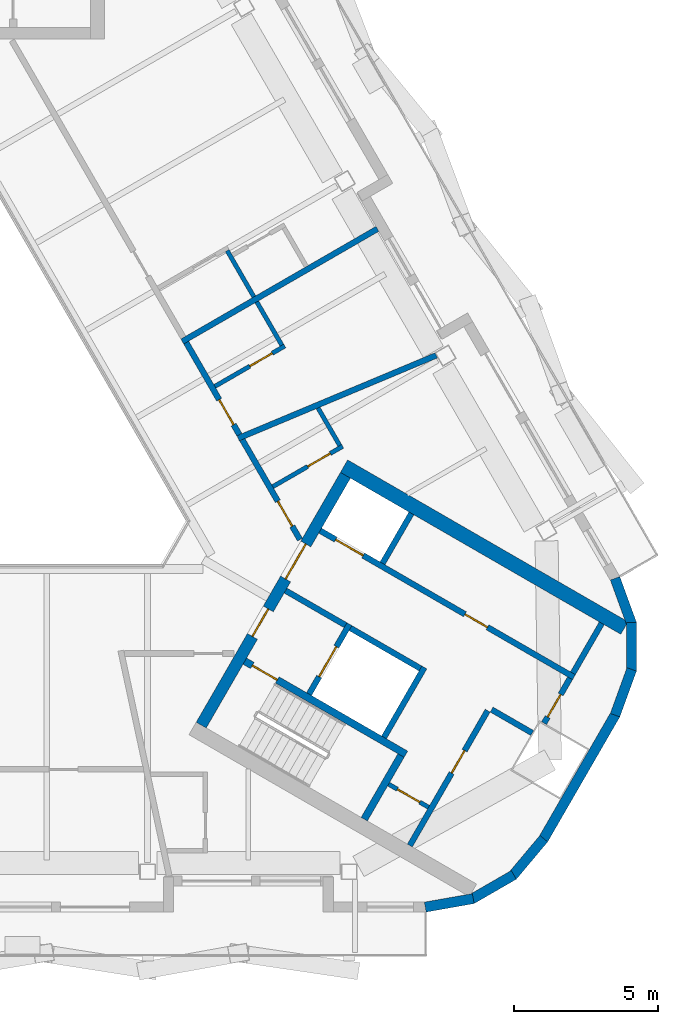
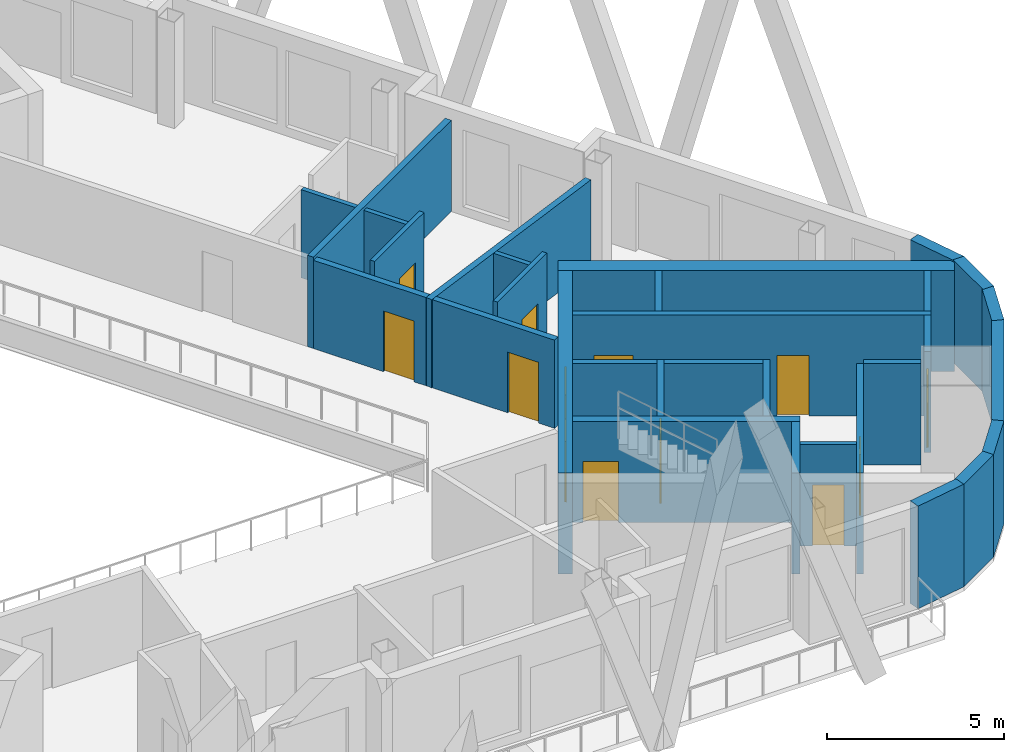
# One storey, part 5 of 12: 31 walls, 13 doors, 13 openings.
"""IFC4 building model written with IfcOpenShell, lengths in metres."""

from ifc_helpers import new_model, si_unit, direction, frame, frame_2d, origin, place, context, subcontext, project, spatial, rectangle, extrude, material, layer, layer_set, type_object, element, fill, save


model = new_model("IFC4")

# Units and contexts
model_context = context("Model", 3, precision=1e-05, world=origin(), true_north=direction((0.0, 1.0)))
body_context = subcontext(model_context, "Body", "Model", "MODEL_VIEW")
ifc_project = project(units=[si_unit("LENGTHUNIT", "METRE"), si_unit("AREAUNIT", "SQUARE_METRE"), si_unit("VOLUMEUNIT", "CUBIC_METRE"), si_unit("PLANEANGLEUNIT", "RADIAN"), si_unit("MASSUNIT", "GRAM", prefix="KILO")], contexts=[model_context])

# Site, building, storey
site_placement = place(None, origin())
site = spatial("IfcSite", under=ifc_project, at=site_placement, CompositionType="ELEMENT")
building_placement = place(site_placement, origin())
building = spatial("IfcBuilding", under=site, at=building_placement, Name="Apuvela Tower Hotel", CompositionType="ELEMENT")
storey_placement = place(building_placement, frame((0.0, 0.0, 291.10009765625)))
storey = spatial("IfcBuildingStorey", under=building, at=storey_placement, Name="L72", CompositionType="ELEMENT", Elevation=291.10009765625)

# Wall, openings, doors
ifc_material_1 = material(Name="Concrete C50/60", Category="concrete")
ifc_layer_1 = layer(ifc_material_1, 0.39990234375)
ifc_layer_set_1 = layer_set([ifc_layer_1], Name="COR-WALL-CORE-400")
wall_type_1 = type_object("IfcWallType", Name="COR-WALL-CORE-400", PredefinedType="SHEAR", material=ifc_layer_set_1)
wall_1_placement = place(storey_placement, frame((8.844970703125, -10.880126953125, 0.0), z_axis=(0.0, 0.0, 1.0), x_axis=(0.500004234368, 0.866022959057, 0.0)))
wall_1 = element("IfcWall", 1, at=wall_1_placement, inside=storey, type_object=wall_type_1, Name="Core wall SE", PredefinedType="SHEAR", context=body_context, shape_type="SweptSolid", body=[
    extrude(rectangle(XDim=10.0, YDim=0.39990234375, at=frame_2d((5.0, 0.0))), origin(), (0.0, 0.0, 1.0), 3.5),
])
opening_1_placement = place(wall_1_placement, frame((3.550048828125, 0.0, 0.0)))
opening_1 = element("IfcOpeningElement", 2, at=opening_1_placement, cuts=wall_1, Name="Opening E-FD", PredefinedType="OPENING", context=body_context, shape_type="SweptSolid", body=[
    extrude(rectangle(XDim=1.10009765625, YDim=2.10009765625, at=frame_2d((0.550048828125, 1.050048828125))), frame((0.0, 0.2099609375, 0.0), z_axis=(0.0, -1.0, 0.0), x_axis=(1.0, 0.0, 0.0)), (0.0, 0.0, 1.0), 0.419921875),
])
opening_2_placement = place(wall_1_placement, frame((5.85009765625, 0.0, 0.0)))
opening_2 = element("IfcOpeningElement", 3, at=opening_2_placement, cuts=wall_1, Name="Opening E-GD", PredefinedType="OPENING", context=body_context, shape_type="SweptSolid", body=[
    extrude(rectangle(XDim=1.39990234375, YDim=2.10009765625, at=frame_2d((0.699951171875, 1.050048828125))), frame((0.0, 0.2099609375, 0.0), z_axis=(0.0, -1.0, 0.0), x_axis=(1.0, 0.0, 0.0)), (0.0, 0.0, 1.0), 0.419921875),
])
ifc_material_2 = material(Name="Steel fire door, powder coated", Category="steel")
door_type_1 = type_object("IfcDoorType", Name="COR-FD-1100", OperationType="NOTDEFINED", PredefinedType="DOOR", material=ifc_material_2)
door_1_placement = place(opening_1_placement, frame((1.10009765625, 0.0, 0.0), z_axis=(0.0, 0.0, 1.0), x_axis=(-1.0, 0.0, 0.0)))
door_1 = element("IfcDoor", 4, at=door_1_placement, inside=storey, type_object=door_type_1, Name="Firefighting lobby door E-FD", OperationType="SINGLE_SWING_LEFT", OverallHeight=2.10009765625, OverallWidth=1.10009765625, PredefinedType="DOOR", context=body_context, shape_type="SweptSolid", body=[
    extrude(rectangle(XDim=1.10009765625, YDim=2.10009765625, at=frame_2d((0.550048828125, 1.050048828125))), frame((0.0, 0.02490234375, 0.0), z_axis=(0.0, -1.0, 0.0), x_axis=(1.0, 0.0, 0.0)), (0.0, 0.0, 1.0), 0.050048828125),
])
fill(opening_1, door_1)
ifc_material_3 = material(Name="Glazed steel fire door", Category="steel")
door_type_2 = type_object("IfcDoorType", Name="COR-GD-1400", OperationType="DOUBLE_DOOR_SINGLE_SWING", PredefinedType="DOOR", material=ifc_material_3)
door_2_placement = place(opening_2_placement, frame((1.39990234375, 0.0, 0.0), z_axis=(0.0, 0.0, 1.0), x_axis=(-1.0, 0.0, 0.0)))
door_2 = element("IfcDoor", 5, at=door_2_placement, inside=storey, type_object=door_type_2, Name="Lift lobby door E-GD", OperationType="DOUBLE_DOOR_SINGLE_SWING", OverallHeight=2.10009765625, OverallWidth=1.39990234375, PredefinedType="DOOR", context=body_context, shape_type="SweptSolid", body=[
    extrude(rectangle(XDim=1.39990234375, YDim=2.10009765625, at=frame_2d((0.699951171875, 1.050048828125))), frame((0.0, 0.02490234375, 0.0), z_axis=(0.0, -1.0, 0.0), x_axis=(1.0, 0.0, 0.0)), (0.0, 0.0, 1.0), 0.050048828125),
])
fill(opening_2, door_2)

# Wall
ifc_layer_2 = layer(ifc_material_1, 0.5)
ifc_layer_set_2 = layer_set([ifc_layer_2], Name="COR-WALL-CORE-500")
wall_type_2 = type_object("IfcWallType", Name="COR-WALL-CORE-500", PredefinedType="SHEAR", material=ifc_layer_set_2)
wall_2_placement = place(storey_placement, frame((13.796630859375, -1.9033203125, 0.0), z_axis=(0.0, 0.0, 1.0), x_axis=(0.866025449148, -0.499999921427, 0.0)))
element("IfcWall", 6, at=wall_2_placement, inside=storey, type_object=wall_type_2, Name="Core wall SE", PredefinedType="SHEAR", context=body_context, shape_type="SweptSolid", body=[
    extrude(rectangle(XDim=11.2216796875, YDim=0.5, at=frame_2d((5.61083984375, 0.0))), origin(), (0.0, 0.0, 1.0), 3.5),
])

# Wall, opening, door
ifc_material_4 = material(Name="Blockwork 150 mm plastered", Category="masonry")
ifc_layer_3 = layer(ifc_material_4, 0.14990234375)
ifc_layer_set_3 = layer_set([ifc_layer_3], Name="COR-WALL-PART-150")
wall_type_3 = type_object("IfcWallType", Name="COR-WALL-PART-150", PredefinedType="PARTITIONING", material=ifc_layer_set_3)
wall_3_placement = place(storey_placement, frame((15.341552734375, -12.927734375, 0.0), z_axis=(0.0, 0.0, 1.0), x_axis=(0.865989903783, -0.500061482766, 0.0)))
wall_3 = element("IfcWall", 7, at=wall_3_placement, inside=storey, type_object=wall_type_3, Name="Partition SE", PredefinedType="PARTITIONING", context=body_context, shape_type="SweptSolid", body=[
    extrude(rectangle(XDim=1.599853515625, YDim=0.14990234375, at=frame_2d((0.7998046875, 0.0))), origin(), (0.0, 0.0, 1.0), 3.5),
])
opening_3_placement = place(wall_3_placement, frame((0.35009765625, 0.0, 0.0)))
opening_3 = element("IfcOpeningElement", 8, at=opening_3_placement, cuts=wall_3, Name="Opening E-RD", PredefinedType="OPENING", context=body_context, shape_type="SweptSolid", body=[
    extrude(rectangle(XDim=0.89990234375, YDim=2.10009765625, at=frame_2d((0.449951171875, 1.050048828125))), frame((0.0, 0.0849609375, 0.0), z_axis=(0.0, -1.0, 0.0), x_axis=(1.0, 0.0, 0.0)), (0.0, 0.0, 1.0), 0.169921875),
])
ifc_material_5 = material(Name="Steel access door, powder coated", Category="steel")
door_type_3 = type_object("IfcDoorType", Name="COR-RD-900", OperationType="NOTDEFINED", PredefinedType="DOOR", material=ifc_material_5)
door_3_placement = place(opening_3_placement, frame((0.89990234375, 0.0, 0.0), z_axis=(0.0, 0.0, 1.0), x_axis=(-1.0, 0.0, 0.0)))
door_3 = element("IfcDoor", 9, at=door_3_placement, inside=storey, type_object=door_type_3, Name="Riser door E-RD", OperationType="SINGLE_SWING_LEFT", OverallHeight=2.10009765625, OverallWidth=0.89990234375, PredefinedType="DOOR", context=body_context, shape_type="SweptSolid", body=[
    extrude(rectangle(XDim=0.89990234375, YDim=2.10009765625, at=frame_2d((0.449951171875, 1.050048828125))), frame((0.0, 0.02490234375, 0.0), z_axis=(0.0, -1.0, 0.0), x_axis=(1.0, 0.0, 0.0)), (0.0, 0.0, 1.0), 0.050048828125),
])
fill(opening_3, door_3)

ifc_material_6 = material(Name="Blockwork 200 mm plastered", Category="masonry")
ifc_layer_4 = layer(ifc_material_6, 0.199951171875)
ifc_layer_set_4 = layer_set([ifc_layer_4], Name="COR-WALL-PART-200")
wall_type_4 = type_object("IfcWallType", Name="COR-WALL-PART-200", PredefinedType="PARTITIONING", material=ifc_layer_set_4)
wall_4_placement = place(storey_placement, frame((16.076171875, -15.05517578125, 0.0), z_axis=(0.0, 0.0, 1.0), x_axis=(0.499995103361, 0.866028230842, 0.0)))
wall_4 = element("IfcWall", 10, at=wall_4_placement, inside=storey, type_object=wall_type_4, Name="Partition SE", PredefinedType="PARTITIONING", context=body_context, shape_type="SweptSolid", body=[
    extrude(rectangle(XDim=5.39990234375, YDim=0.199951171875, at=frame_2d((2.699951171875, 0.0))), origin(), (0.0, 0.0, 1.0), 3.5),
])
opening_4_placement = place(wall_4_placement, frame((2.89990234375, 0.0, 0.0)))
opening_4 = element("IfcOpeningElement", 11, at=opening_4_placement, cuts=wall_4, Name="Opening E-RS1", PredefinedType="OPENING", context=body_context, shape_type="SweptSolid", body=[
    extrude(rectangle(XDim=0.89990234375, YDim=2.10009765625, at=frame_2d((0.449951171875, 1.050048828125))), frame((0.0, 0.10986328125, 0.0), z_axis=(0.0, -1.0, 0.0), x_axis=(1.0, 0.0, 0.0)), (0.0, 0.0, 1.0), 0.219970703125),
])
door_type_4 = type_object("IfcDoorType", Name="COR-DR-900", OperationType="NOTDEFINED", PredefinedType="DOOR", material=ifc_material_2)
door_4_placement = place(opening_4_placement, frame((0.89990234375, 0.0, 0.0), z_axis=(0.0, 0.0, 1.0), x_axis=(-1.0, 0.0, 0.0)))
door_4 = element("IfcDoor", 12, at=door_4_placement, inside=storey, type_object=door_type_4, Name="Store door E-RS1", OperationType="SINGLE_SWING_LEFT", OverallHeight=2.10009765625, OverallWidth=0.89990234375, PredefinedType="DOOR", context=body_context, shape_type="SweptSolid", body=[
    extrude(rectangle(XDim=0.89990234375, YDim=2.10009765625, at=frame_2d((0.449951171875, 1.050048828125))), frame((0.0, 0.02490234375, 0.0), z_axis=(0.0, -1.0, 0.0), x_axis=(1.0, 0.0, 0.0)), (0.0, 0.0, 1.0), 0.050048828125),
])
fill(opening_4, door_4)

# Wall
ifc_layer_5 = layer(ifc_material_1, 0.199951171875)
ifc_layer_set_5 = layer_set([ifc_layer_5], Name="COR-WALL-SHAFT-200")
wall_type_5 = type_object("IfcWallType", Name="COR-WALL-SHAFT-200", PredefinedType="SHEAR", material=ifc_layer_set_5)
wall_5_placement = place(storey_placement, frame((15.181396484375, -11.305419921875, 0.0), z_axis=(0.0, 0.0, 1.0), x_axis=(0.49994636267, 0.866056369097, 0.0)))
element("IfcWall", 13, at=wall_5_placement, inside=storey, type_object=wall_type_5, Name="Shaft wall SE", PredefinedType="SHEAR", context=body_context, shape_type="SweptSolid", body=[
    extrude(rectangle(XDim=2.800048828125, YDim=0.199951171875, at=frame_2d((1.39990234375, 0.0))), origin(), (0.0, 0.0, 1.0), 3.5),
])

# Wall, opening, door
wall_6_placement = place(storey_placement, frame((12.583251953125, -9.805419921875, 0.0), z_axis=(0.0, 0.0, 1.0), x_axis=(0.49994636267, 0.866056369097, 0.0)))
wall_6 = element("IfcWall", 14, at=wall_6_placement, inside=storey, type_object=wall_type_5, Name="Shaft wall SE", PredefinedType="SHEAR", context=body_context, shape_type="SweptSolid", body=[
    extrude(rectangle(XDim=2.800048828125, YDim=0.199951171875, at=frame_2d((1.39990234375, 0.0))), origin(), (0.0, 0.0, 1.0), 3.5),
])
opening_5_placement = place(wall_6_placement, frame((0.699951171875, 0.0, 0.0)))
opening_5 = element("IfcOpeningElement", 15, at=opening_5_placement, cuts=wall_6, Name="Opening E-LD-FS3", PredefinedType="OPENING", context=body_context, shape_type="SweptSolid", body=[
    extrude(rectangle(XDim=1.199951171875, YDim=2.10009765625, at=frame_2d((0.60009765625, 1.050048828125))), frame((0.0, 0.10986328125, 0.0), z_axis=(0.0, -1.0, 0.0), x_axis=(1.0, 0.0, 0.0)), (0.0, 0.0, 1.0), 0.219970703125),
])
ifc_material_7 = material(Name="Stainless steel lift landing door", Category="steel")
door_type_5 = type_object("IfcDoorType", Name="COR-LD-1200", OperationType="DOUBLE_DOOR_SLIDING", PredefinedType="DOOR", material=ifc_material_7)
door_5_placement = place(opening_5_placement, origin())
door_5 = element("IfcDoor", 16, at=door_5_placement, inside=storey, type_object=door_type_5, Name="Lift landing door E-LD-FS3", OperationType="DOUBLE_DOOR_SLIDING", OverallHeight=2.10009765625, OverallWidth=1.199951171875, PredefinedType="DOOR", context=body_context, shape_type="SweptSolid", body=[
    extrude(rectangle(XDim=1.199951171875, YDim=2.10009765625, at=frame_2d((0.60009765625, 1.050048828125))), frame((0.0, 0.02490234375, 0.0), z_axis=(0.0, -1.0, 0.0), x_axis=(1.0, 0.0, 0.0)), (0.0, 0.0, 1.0), 0.050048828125),
])
fill(opening_5, door_5)

# Walls
wall_7_placement = place(storey_placement, frame((11.76806640625, -6.217041015625, 0.0), z_axis=(0.0, 0.0, 1.0), x_axis=(0.866050077142, -0.499957262057, 0.0)))
element("IfcWall", 17, at=wall_7_placement, inside=storey, type_object=wall_type_5, Name="Shaft wall SE", PredefinedType="SHEAR", context=body_context, shape_type="SweptSolid", body=[
    extrude(rectangle(XDim=2.400146484375, YDim=0.199951171875, at=frame_2d((1.2001953125, 0.0))), origin(), (0.0, 0.0, 1.0), 3.5),
])
wall_8_placement = place(storey_placement, frame((14.019775390625, -7.51708984375, 0.0), z_axis=(0.0, 0.0, 1.0), x_axis=(0.866034573852, -0.49998411664, 0.0)))
element("IfcWall", 18, at=wall_8_placement, inside=storey, type_object=wall_type_5, Name="Shaft wall SE", PredefinedType="SHEAR", context=body_context, shape_type="SweptSolid", body=[
    extrude(rectangle(XDim=2.7998046875, YDim=0.199951171875, at=frame_2d((1.39990234375, 0.0))), origin(), (0.0, 0.0, 1.0), 3.5),
])

# Wall, openings, doors
wall_9_placement = place(storey_placement, frame((12.968017578125, -4.138427734375, 0.0), z_axis=(0.0, 0.0, 1.0), x_axis=(0.866028328073, -0.49999493495, 0.0)))
wall_9 = element("IfcWall", 19, at=wall_9_placement, inside=storey, type_object=wall_type_5, Name="Shaft wall SE", PredefinedType="SHEAR", context=body_context, shape_type="SweptSolid", body=[
    extrude(rectangle(XDim=10.16015625, YDim=0.199951171875, at=frame_2d((5.080078125, 0.0))), origin(), (0.0, 0.0, 1.0), 3.5),
])
opening_6_placement = place(wall_9_placement, frame((0.6201171875, 0.0, 0.0)))
opening_6 = element("IfcOpeningElement", 20, at=opening_6_placement, cuts=wall_9, Name="Opening E-LD-HR3", PredefinedType="OPENING", context=body_context, shape_type="SweptSolid", body=[
    extrude(rectangle(XDim=1.10009765625, YDim=2.10009765625, at=frame_2d((0.550048828125, 1.050048828125))), frame((0.0, 0.10986328125, 0.0), z_axis=(0.0, -1.0, 0.0), x_axis=(1.0, 0.0, 0.0)), (0.0, 0.0, 1.0), 0.219970703125),
])
opening_7_placement = place(wall_9_placement, frame((5.800048828125, 0.0, 0.0)))
opening_7 = element("IfcOpeningElement", 21, at=opening_7_placement, cuts=wall_9, Name="Opening E-RE2", PredefinedType="OPENING", context=body_context, shape_type="SweptSolid", body=[
    extrude(rectangle(XDim=0.89990234375, YDim=2.10009765625, at=frame_2d((0.449951171875, 1.050048828125))), frame((0.0, 0.10986328125, 0.0), z_axis=(0.0, -1.0, 0.0), x_axis=(1.0, 0.0, 0.0)), (0.0, 0.0, 1.0), 0.219970703125),
])
door_6_placement = place(opening_7_placement, origin())
door_6 = element("IfcDoor", 22, at=door_6_placement, inside=storey, type_object=door_type_4, Name="Store door E-RE2", OperationType="SINGLE_SWING_LEFT", OverallHeight=2.10009765625, OverallWidth=0.89990234375, PredefinedType="DOOR", context=body_context, shape_type="SweptSolid", body=[
    extrude(rectangle(XDim=0.89990234375, YDim=2.10009765625, at=frame_2d((0.449951171875, 1.050048828125))), frame((0.0, 0.02490234375, 0.0), z_axis=(0.0, -1.0, 0.0), x_axis=(1.0, 0.0, 0.0)), (0.0, 0.0, 1.0), 0.050048828125),
])
fill(opening_7, door_6)
door_type_6 = type_object("IfcDoorType", Name="COR-LD-1100", OperationType="DOUBLE_DOOR_SLIDING", PredefinedType="DOOR", material=ifc_material_7)
door_7_placement = place(opening_6_placement, origin())
door_7 = element("IfcDoor", 23, at=door_7_placement, inside=storey, type_object=door_type_6, Name="Lift landing door E-LD-HR3", OperationType="DOUBLE_DOOR_SLIDING", OverallHeight=2.10009765625, OverallWidth=1.10009765625, PredefinedType="DOOR", context=body_context, shape_type="SweptSolid", body=[
    extrude(rectangle(XDim=1.10009765625, YDim=2.10009765625, at=frame_2d((0.550048828125, 1.050048828125))), frame((0.0, 0.02490234375, 0.0), z_axis=(0.0, -1.0, 0.0), x_axis=(1.0, 0.0, 0.0)), (0.0, 0.0, 1.0), 0.050048828125),
])
fill(opening_6, door_7)

# Wall, opening, door
wall_10_placement = place(storey_placement, frame((20.73046875, -10.81396484375, 0.0), z_axis=(0.0, 0.0, 1.0), x_axis=(0.499961193289, 0.866047807691, 0.0)))
wall_10 = element("IfcWall", 24, at=wall_10_placement, inside=storey, type_object=wall_type_5, Name="Shaft wall SE", PredefinedType="SHEAR", context=body_context, shape_type="SweptSolid", body=[
    extrude(rectangle(XDim=1.800048828125, YDim=0.199951171875, at=frame_2d((0.89990234375, 0.0))), origin(), (0.0, 0.0, 1.0), 3.5),
])
opening_8_placement = place(wall_10_placement, frame((0.25, 0.0, 0.0)))
opening_8 = element("IfcOpeningElement", 25, at=opening_8_placement, cuts=wall_10, Name="Opening E-REP", PredefinedType="OPENING", context=body_context, shape_type="SweptSolid", body=[
    extrude(rectangle(XDim=0.89990234375, YDim=2.10009765625, at=frame_2d((0.449951171875, 1.050048828125))), frame((0.0, 0.10986328125, 0.0), z_axis=(0.0, -1.0, 0.0), x_axis=(1.0, 0.0, 0.0)), (0.0, 0.0, 1.0), 0.219970703125),
])
door_8_placement = place(opening_8_placement, frame((0.89990234375, 0.0, 0.0), z_axis=(0.0, 0.0, 1.0), x_axis=(-1.0, 0.0, 0.0)))
door_8 = element("IfcDoor", 26, at=door_8_placement, inside=storey, type_object=door_type_4, Name="Store door E-REP", OperationType="SINGLE_SWING_RIGHT", OverallHeight=2.10009765625, OverallWidth=0.89990234375, PredefinedType="DOOR", context=body_context, shape_type="SweptSolid", body=[
    extrude(rectangle(XDim=0.89990234375, YDim=2.10009765625, at=frame_2d((0.449951171875, 1.050048828125))), frame((0.0, 0.02490234375, 0.0), z_axis=(0.0, -1.0, 0.0), x_axis=(1.0, 0.0, 0.0)), (0.0, 0.0, 1.0), 0.050048828125),
])
fill(opening_8, door_8)

# Walls
wall_11_placement = place(storey_placement, frame((18.912841796875, -10.342041015625, 0.0), z_axis=(0.0, 0.0, 1.0), x_axis=(0.866053003207, -0.499952193351, 0.0)))
element("IfcWall", 27, at=wall_11_placement, inside=storey, type_object=wall_type_5, Name="Shaft wall SE", PredefinedType="SHEAR", context=body_context, shape_type="SweptSolid", body=[
    extrude(rectangle(XDim=1.625244140625, YDim=0.199951171875, at=frame_2d((0.8125, 0.0))), origin(), (0.0, 0.0, 1.0), 3.5),
])
for number, where, z_axis, x_axis, name in (
    (28, (15.131103515625, -5.27197265625, 0.0), (0.0, 0.0, 1.0), (0.499972520799, 0.866041268327, 0.0), "Shaft wall SE"),
    (29, (21.73046875, -9.081787109375, 0.0), (0.0, 0.0, 1.0), (0.50002537861, 0.866010750942, 0.0), "Shaft wall SE"),
):
    element("IfcWall", number, at=place(storey_placement, frame(where, z_axis=z_axis, x_axis=x_axis)), inside=storey, type_object=wall_type_5, Name=name, PredefinedType="SHEAR", context=body_context, shape_type="SweptSolid", body=[
        extrude(rectangle(XDim=2.0, YDim=0.199951171875, at=frame_2d((1.0, 0.0))), origin(), (0.0, 0.0, 1.0), 3.5),
    ])

# Wall, opening, door
ifc_layer_6 = layer(ifc_material_1, 0.25)
ifc_layer_set_6 = layer_set([ifc_layer_6], Name="COR-WALL-STAIR-250")
wall_type_6 = type_object("IfcWallType", Name="COR-WALL-STAIR-250", PredefinedType="SHEAR", material=ifc_layer_set_6)
wall_12_placement = place(storey_placement, frame((10.355712890625, -8.66357421875, 0.0), z_axis=(0.0, 0.0, 1.0), x_axis=(0.866028629588, -0.499994412703, 0.0)))
wall_12 = element("IfcWall", 30, at=wall_12_placement, inside=storey, type_object=wall_type_6, Name="Stair wall SE", PredefinedType="SHEAR", context=body_context, shape_type="SweptSolid", body=[
    extrude(rectangle(XDim=6.44970703125, YDim=0.25, at=frame_2d((3.224853515625, 0.0))), origin(), (0.0, 0.0, 1.0), 3.5),
])
opening_9_placement = place(wall_12_placement, frame((0.300048828125, 0.0, 0.0)))
opening_9 = element("IfcOpeningElement", 31, at=opening_9_placement, cuts=wall_12, Name="Opening E-SD", PredefinedType="OPENING", context=body_context, shape_type="SweptSolid", body=[
    extrude(rectangle(XDim=1.0, YDim=2.10009765625, at=frame_2d((0.5, 1.050048828125))), frame((0.0, 0.135009765625, 0.0), z_axis=(0.0, -1.0, 0.0), x_axis=(1.0, 0.0, 0.0)), (0.0, 0.0, 1.0), 0.27001953125),
])
door_type_7 = type_object("IfcDoorType", Name="COR-SD-1000", OperationType="NOTDEFINED", PredefinedType="DOOR", material=ifc_material_2)
door_9_placement = place(opening_9_placement, frame((1.0, 0.0, 0.0), z_axis=(0.0, 0.0, 1.0), x_axis=(-1.0, 0.0, 0.0)))
door_9 = element("IfcDoor", 32, at=door_9_placement, inside=storey, type_object=door_type_7, Name="Stair door E-SD", OperationType="SINGLE_SWING_LEFT", OverallHeight=2.10009765625, OverallWidth=1.0, PredefinedType="DOOR", context=body_context, shape_type="SweptSolid", body=[
    extrude(rectangle(XDim=1.0, YDim=2.10009765625, at=frame_2d((0.5, 1.050048828125))), frame((0.0, 0.02490234375, 0.0), z_axis=(0.0, -1.0, 0.0), x_axis=(1.0, 0.0, 0.0)), (0.0, 0.0, 1.0), 0.050048828125),
])
fill(opening_9, door_9)

# Walls
wall_13_placement = place(storey_placement, frame((14.49560546875, -14.142578125, 0.0), z_axis=(0.0, 0.0, 1.0), x_axis=(0.500062241894, 0.865989465428, 0.0)))
element("IfcWall", 33, at=wall_13_placement, inside=storey, type_object=wall_type_6, Name="Stair wall SE", PredefinedType="SHEAR", context=body_context, shape_type="SweptSolid", body=[
    extrude(rectangle(XDim=2.550048828125, YDim=0.25, at=frame_2d((1.27490234375, 0.0))), origin(), (0.0, 0.0, 1.0), 3.5),
])
ifc_material_8 = material(Name="Concrete C40/50, dark pigmented precast panel", Category="concrete")
ifc_layer_7 = layer(ifc_material_8, 0.35009765625)
ifc_layer_set_7 = layer_set([ifc_layer_7], Name="ENV-WALL-350")
wall_type_7 = type_object("IfcWallType", Name="ENV-WALL-350", PredefinedType="SOLIDWALL", material=ifc_layer_set_7)
for number, where, z_axis, x_axis, name in (
    (34, (16.611083984375, -17.189208984375, 0.0), (0.0, 0.0, 1.0), (0.984824265658, 0.17355450375, 0.0), "External wall L72-26"),
    (35, (18.2177734375, -16.916748046875, 0.0), (0.0, 0.0, 1.0), (0.866029168372, 0.499993479487, 0.0), "External wall L72-27"),
):
    element("IfcWall", number, at=place(storey_placement, frame(where, z_axis=z_axis, x_axis=x_axis)), inside=storey, type_object=wall_type_7, Name=name, PredefinedType="SOLIDWALL", context=body_context, shape_type="SweptSolid", body=[
        extrude(rectangle(XDim=1.689453125, YDim=0.35009765625, at=frame_2d((0.8447265625, 0.0))), origin(), (0.0, 0.0, 1.0), 3.5498046875),
    ])
wall_14_placement = place(storey_placement, frame((19.634521484375, -16.111083984375, 0.0), z_axis=(0.0, 0.0, 1.0), x_axis=(0.642697100627, 0.766120380127, 0.0)))
element("IfcWall", 36, at=wall_14_placement, inside=storey, type_object=wall_type_7, Name="External wall L72-28", PredefinedType="SOLIDWALL", context=body_context, shape_type="SweptSolid", body=[
    extrude(rectangle(XDim=1.689208984375, YDim=0.35009765625, at=frame_2d((0.8447265625, 0.0))), origin(), (0.0, 0.0, 1.0), 3.5498046875),
])
wall_15_placement = place(storey_placement, frame((20.70263671875, -14.841796875, 0.0), z_axis=(0.0, 0.0, 1.0), x_axis=(0.500016662025, 0.866015783746, 0.0)))
element("IfcWall", 37, at=wall_15_placement, inside=storey, type_object=wall_type_7, Name="External wall L72-29", PredefinedType="SOLIDWALL", context=body_context, shape_type="SweptSolid", body=[
    extrude(rectangle(XDim=5.004150390625, YDim=0.35009765625, at=frame_2d((2.501953125, 0.0))), origin(), (0.0, 0.0, 1.0), 3.5498046875),
])
for number, where, z_axis, x_axis, name in (
    (38, (23.19189453125, -10.535888671875, 0.0), (0.0, 0.0, 1.0), (0.342033102914, 0.93968790378, 0.0), "External wall L72-30"),
    (39, (23.75927734375, -9.008056640625, 0.0), (0.0, 0.0, 1.0), (0.0, 1.0, 0.0), "External wall L72-31"),
    (40, (23.769775390625, -7.378662109375, 0.0), (0.0, 0.0, 1.0), (-0.342033102914, 0.93968790378, 0.0), "External wall L72-32"),
):
    element("IfcWall", number, at=place(storey_placement, frame(where, z_axis=z_axis, x_axis=x_axis)), inside=storey, type_object=wall_type_7, Name=name, PredefinedType="SOLIDWALL", context=body_context, shape_type="SweptSolid", body=[
        extrude(rectangle(XDim=1.689453125, YDim=0.35009765625, at=frame_2d((0.8447265625, 0.0))), origin(), (0.0, 0.0, 1.0), 3.5498046875),
    ])
ifc_material_9 = material(Name="Gypsum board partition on twin steel stud", Category="steel")
ifc_layer_8 = layer(ifc_material_9, 0.199951171875)
ifc_layer_set_8 = layer_set([ifc_layer_8], Name="GST-PW1")
wall_type_8 = type_object("IfcWallType", Name="GST-PW1", PredefinedType="PARTITIONING", material=ifc_layer_set_8)
wall_16_placement = place(storey_placement, frame((16.993896484375, 1.938720703125, 0.0), z_axis=(0.0, 0.0, 1.0), x_axis=(-0.922394541425, -0.386249025824, 0.0)))
element("IfcWall", 41, at=wall_16_placement, inside=storey, type_object=wall_type_8, Name="L72 partition 04", PredefinedType="PARTITIONING", context=body_context, shape_type="SweptSolid", body=[
    extrude(rectangle(XDim=7.446533203125, YDim=0.199951171875, at=frame_2d((3.72314453125, 0.0))), origin(), (0.0, 0.0, 1.0), 3.0498046875),
])
wall_17_placement = place(storey_placement, frame((14.953125, 6.32373046875, 0.0), z_axis=(0.0, 0.0, 1.0), x_axis=(-0.866030491634, -0.499991187483, 0.0)))
element("IfcWall", 42, at=wall_17_placement, inside=storey, type_object=wall_type_8, Name="L72 partition 05", PredefinedType="PARTITIONING", context=body_context, shape_type="SweptSolid", body=[
    extrude(rectangle(XDim=7.811767578125, YDim=0.199951171875, at=frame_2d((3.90576171875, 0.0))), origin(), (0.0, 0.0, 1.0), 3.159912109375),
])

# Wall, opening, door
ifc_material_10 = material(Name="Gypsum board corridor wall on twin steel stud, acoustic", Category="steel")
ifc_layer_9 = layer(ifc_material_10, 0.199951171875)
ifc_layer_set_9 = layer_set([ifc_layer_9], Name="GST-PW2")
wall_type_9 = type_object("IfcWallType", Name="GST-PW2", PredefinedType="PARTITIONING", material=ifc_layer_set_9)
wall_18_placement = place(storey_placement, frame((10.2685546875, -0.98583984375, 0.0), z_axis=(0.0, 0.0, 1.0), x_axis=(0.50004472278, -0.865999581536, 0.0)))
wall_18 = element("IfcWall", 43, at=wall_18_placement, inside=storey, type_object=wall_type_9, Name="L72 partition 19", PredefinedType="PARTITIONING", context=body_context, shape_type="SweptSolid", body=[
    extrude(rectangle(XDim=4.000244140625, YDim=0.199951171875, at=frame_2d((2.0, 0.0))), origin(), (0.0, 0.0, 1.0), 3.0498046875),
])
opening_10_placement = place(wall_18_placement, frame((2.462890625, 0.0, 0.0)))
opening_10 = element("IfcOpeningElement", 44, at=opening_10_placement, cuts=wall_18, Name="Opening GD29-08", PredefinedType="OPENING", context=body_context, shape_type="SweptSolid", body=[
    extrude(rectangle(XDim=1.0, YDim=2.10009765625, at=frame_2d((0.5, 1.050048828125))), frame((0.0, 0.10986328125, 0.0), z_axis=(0.0, -1.0, 0.0), x_axis=(1.0, 0.0, 0.0)), (0.0, 0.0, 1.0), 0.219970703125),
])
ifc_material_11 = material(Name="Timber door leaf in steel frame", Category="steel")
door_type_8 = type_object("IfcDoorType", Name="GST-D1", OperationType="NOTDEFINED", PredefinedType="DOOR", material=ifc_material_11)
door_10_placement = place(opening_10_placement, origin())
door_10 = element("IfcDoor", 45, at=door_10_placement, inside=storey, type_object=door_type_8, Name="Door L72-08", OperationType="SINGLE_SWING_RIGHT", OverallHeight=2.10009765625, OverallWidth=1.0, PredefinedType="DOOR", context=body_context, shape_type="SweptSolid", body=[
    extrude(rectangle(XDim=1.0, YDim=2.10009765625, at=frame_2d((0.5, 1.050048828125))), frame((0.0, 0.02490234375, 0.0), z_axis=(0.0, -1.0, 0.0), x_axis=(1.0, 0.0, 0.0)), (0.0, 0.0, 1.0), 0.050048828125),
])
fill(opening_10, door_10)

wall_19_placement = place(storey_placement, frame((8.32470703125, 2.38134765625, 0.0), z_axis=(0.0, 0.0, 1.0), x_axis=(0.499949858301, -0.866054351173, 0.0)))
wall_19 = element("IfcWall", 46, at=wall_19_placement, inside=storey, type_object=wall_type_9, Name="L72 partition 22", PredefinedType="PARTITIONING", context=body_context, shape_type="SweptSolid", body=[
    extrude(rectangle(XDim=3.6865234375, YDim=0.199951171875, at=frame_2d((1.84326171875, 0.0))), origin(), (0.0, 0.0, 1.0), 3.0498046875),
])
opening_11_placement = place(wall_19_placement, frame((2.286376953125, 0.0, 0.0)))
opening_11 = element("IfcOpeningElement", 47, at=opening_11_placement, cuts=wall_19, Name="Opening GD29-10", PredefinedType="OPENING", context=body_context, shape_type="SweptSolid", body=[
    extrude(rectangle(XDim=1.0, YDim=2.10009765625, at=frame_2d((0.5, 1.050048828125))), frame((0.0, 0.10986328125, 0.0), z_axis=(0.0, -1.0, 0.0), x_axis=(1.0, 0.0, 0.0)), (0.0, 0.0, 1.0), 0.219970703125),
])
door_11_placement = place(opening_11_placement, origin())
door_11 = element("IfcDoor", 48, at=door_11_placement, inside=storey, type_object=door_type_8, Name="Door L72-10", OperationType="SINGLE_SWING_RIGHT", OverallHeight=2.10009765625, OverallWidth=1.0, PredefinedType="DOOR", context=body_context, shape_type="SweptSolid", body=[
    extrude(rectangle(XDim=1.0, YDim=2.10009765625, at=frame_2d((0.5, 1.050048828125))), frame((0.0, 0.02490234375, 0.0), z_axis=(0.0, -1.0, 0.0), x_axis=(1.0, 0.0, 0.0)), (0.0, 0.0, 1.0), 0.050048828125),
])
fill(opening_11, door_11)

ifc_material_12 = material(Name="Moisture-resistant gypsum board wet wall on steel stud", Category="steel")
ifc_layer_10 = layer(ifc_material_12, 0.14990234375)
ifc_layer_set_10 = layer_set([ifc_layer_10], Name="GST-PW3")
wall_type_10 = type_object("IfcWallType", Name="GST-PW3", PredefinedType="PARTITIONING", material=ifc_layer_set_10)
wall_20_placement = place(storey_placement, frame((11.32421875, -2.614013671875, 0.0), z_axis=(0.0, 0.0, 1.0), x_axis=(0.866034573852, 0.49998411664, 0.0)))
wall_20 = element("IfcWall", 49, at=wall_20_placement, inside=storey, type_object=wall_type_10, Name="L72 partition 20", PredefinedType="PARTITIONING", context=body_context, shape_type="SweptSolid", body=[
    extrude(rectangle(XDim=2.7998046875, YDim=0.14990234375, at=frame_2d((1.39990234375, 0.0))), origin(), (0.0, 0.0, 1.0), 3.5498046875),
])
opening_12_placement = place(wall_20_placement, frame((1.39990234375, 0.0, 0.0)))
opening_12 = element("IfcOpeningElement", 50, at=opening_12_placement, cuts=wall_20, Name="Opening GD29-07", PredefinedType="OPENING", context=body_context, shape_type="SweptSolid", body=[
    extrude(rectangle(XDim=0.89990234375, YDim=2.10009765625, at=frame_2d((0.449951171875, 1.050048828125))), frame((0.0, 0.0849609375, 0.0), z_axis=(0.0, -1.0, 0.0), x_axis=(1.0, 0.0, 0.0)), (0.0, 0.0, 1.0), 0.169921875),
])
door_type_9 = type_object("IfcDoorType", Name="GST-D2", OperationType="NOTDEFINED", PredefinedType="DOOR", material=ifc_material_11)
door_12_placement = place(opening_12_placement, origin())
door_12 = element("IfcDoor", 51, at=door_12_placement, inside=storey, type_object=door_type_9, Name="Door L72-07", OperationType="SINGLE_SWING_RIGHT", OverallHeight=2.10009765625, OverallWidth=0.89990234375, PredefinedType="DOOR", context=body_context, shape_type="SweptSolid", body=[
    extrude(rectangle(XDim=0.89990234375, YDim=2.10009765625, at=frame_2d((0.449951171875, 1.050048828125))), frame((0.0, 0.02490234375, 0.0), z_axis=(0.0, -1.0, 0.0), x_axis=(1.0, 0.0, 0.0)), (0.0, 0.0, 1.0), 0.050048828125),
])
fill(opening_12, door_12)

# Wall
wall_21_placement = place(storey_placement, frame((13.646484375, -1.1865234375, 0.0), z_axis=(0.0, 0.0, 1.0), x_axis=(-0.499985098601, 0.86603400694, 0.0)))
element("IfcWall", 52, at=wall_21_placement, inside=storey, type_object=wall_type_10, Name="L72 partition 21", PredefinedType="PARTITIONING", context=body_context, shape_type="SweptSolid", body=[
    extrude(rectangle(XDim=1.501953125, YDim=0.14990234375, at=frame_2d((0.7509765625, 0.0))), origin(), (0.0, 0.0, 1.0), 3.0498046875),
])

# Wall, opening, door
wall_22_placement = place(storey_placement, frame((9.31689453125, 0.862548828125, 0.0), z_axis=(0.0, 0.0, 1.0), x_axis=(0.865996816683, 0.500049511043, 0.0)))
wall_22 = element("IfcWall", 53, at=wall_22_placement, inside=storey, type_object=wall_type_10, Name="L72 partition 23", PredefinedType="PARTITIONING", context=body_context, shape_type="SweptSolid", body=[
    extrude(rectangle(XDim=2.800048828125, YDim=0.14990234375, at=frame_2d((1.39990234375, 0.0))), origin(), (0.0, 0.0, 1.0), 3.5498046875),
])
opening_13_placement = place(wall_22_placement, frame((1.39990234375, 0.0, 0.0)))
opening_13 = element("IfcOpeningElement", 54, at=opening_13_placement, cuts=wall_22, Name="Opening GD29-09", PredefinedType="OPENING", context=body_context, shape_type="SweptSolid", body=[
    extrude(rectangle(XDim=0.89990234375, YDim=2.10009765625, at=frame_2d((0.449951171875, 1.050048828125))), frame((0.0, 0.0849609375, 0.0), z_axis=(0.0, -1.0, 0.0), x_axis=(1.0, 0.0, 0.0)), (0.0, 0.0, 1.0), 0.169921875),
])
door_13_placement = place(opening_13_placement, origin())
door_13 = element("IfcDoor", 55, at=door_13_placement, inside=storey, type_object=door_type_9, Name="Door L72-09", OperationType="SINGLE_SWING_RIGHT", OverallHeight=2.10009765625, OverallWidth=0.89990234375, PredefinedType="DOOR", context=body_context, shape_type="SweptSolid", body=[
    extrude(rectangle(XDim=0.89990234375, YDim=2.10009765625, at=frame_2d((0.449951171875, 1.050048828125))), frame((0.0, 0.02490234375, 0.0), z_axis=(0.0, -1.0, 0.0), x_axis=(1.0, 0.0, 0.0)), (0.0, 0.0, 1.0), 0.050048828125),
])
fill(opening_13, door_13)

# Walls
wall_23_placement = place(storey_placement, frame((11.639404296875, 2.2900390625, 0.0), z_axis=(0.0, 0.0, 1.0), x_axis=(-0.500115958453, 0.865958444789, 0.0)))
element("IfcWall", 56, at=wall_23_placement, inside=storey, type_object=wall_type_10, Name="L72 partition 24", PredefinedType="PARTITIONING", context=body_context, shape_type="SweptSolid", body=[
    extrude(rectangle(XDim=1.736328125, YDim=0.14990234375, at=frame_2d((0.8681640625, 0.0))), origin(), (0.0, 0.0, 1.0), 3.0498046875),
])
wall_24_placement = place(storey_placement, frame((10.671142578125, 3.967041015625, 0.0), z_axis=(0.0, 0.0, 1.0), x_axis=(-0.500042316284, 0.866000971088, 0.0)))
element("IfcWall", 57, at=wall_24_placement, inside=storey, type_object=wall_type_10, Name="L72 partition 27", PredefinedType="PARTITIONING", context=body_context, shape_type="SweptSolid", body=[
    extrude(rectangle(XDim=1.849853515625, YDim=0.14990234375, at=frame_2d((0.9248046875, 0.0))), origin(), (0.0, 0.0, 1.0), 3.0498046875),
])

save(model, "model.ifc")
